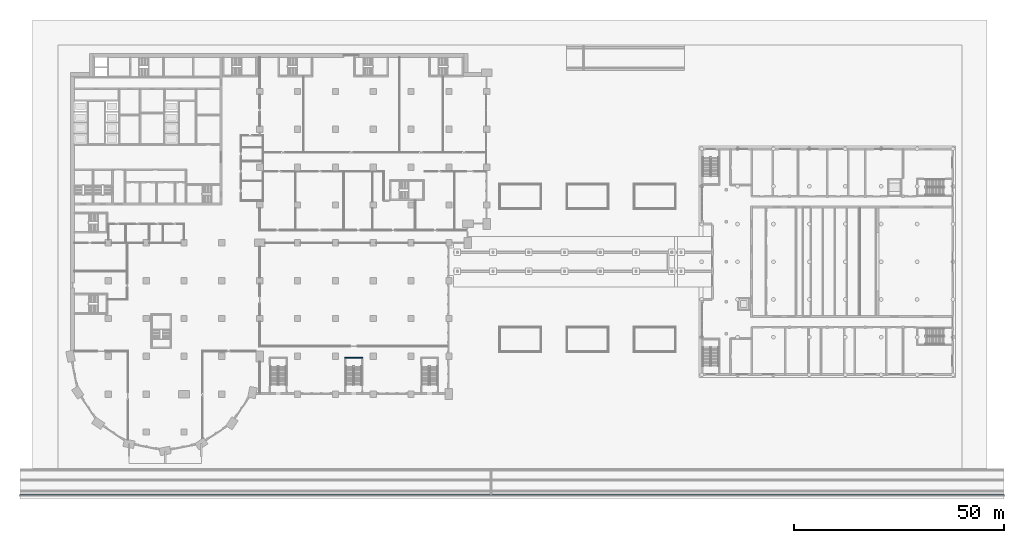
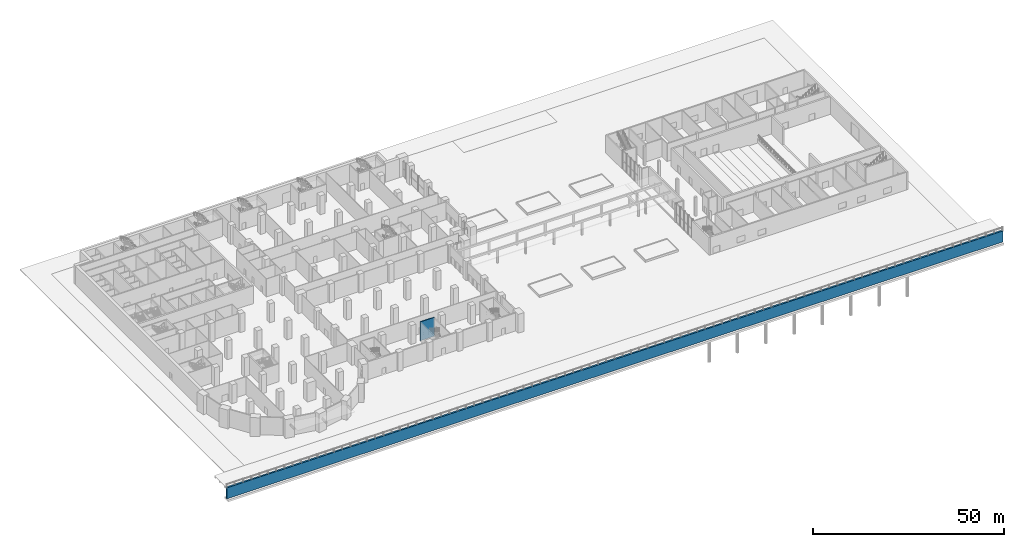
# One storey, part 16 of 47: 2 walls.
"""IFC4 building model written with IfcOpenShell, lengths in metres."""

from ifc_helpers import new_model, si_unit, direction, frame, frame_2d, origin, place, context, subcontext, project, spatial, rectangle, extrude, material, layer, layer_set, type_object, element, save


model = new_model("IFC4")

# Units and contexts
model_context = context("Model", 3, precision=1e-05, world=origin(), true_north=direction((0.0, 1.0)))
body_context = subcontext(model_context, "Body", "Model", "MODEL_VIEW")
ifc_project = project(units=[si_unit("LENGTHUNIT", "METRE"), si_unit("AREAUNIT", "SQUARE_METRE"), si_unit("VOLUMEUNIT", "CUBIC_METRE"), si_unit("PLANEANGLEUNIT", "RADIAN"), si_unit("MASSUNIT", "GRAM", prefix="KILO")], contexts=[model_context])

# Site, building, storey
site_placement = place(None, origin())
site = spatial("IfcSite", under=ifc_project, at=site_placement, CompositionType="ELEMENT")
building_placement = place(site_placement, origin())
building = spatial("IfcBuilding", under=site, at=building_placement, Name="Hunhe Ridgeline Campus", CompositionType="ELEMENT")
storey_placement = place(building_placement, origin())
storey = spatial("IfcBuildingStorey", under=building, at=storey_placement, Name="L00", CompositionType="ELEMENT", Elevation=0.0)

# Walls
ifc_material = material(Name="Concrete C40", Category="concrete")
ifc_layer_1 = layer(ifc_material, 0.5)
ifc_layer_set_1 = layer_set([ifc_layer_1], Name="Quay retaining wall 500 C40")
wall_type_1 = type_object("IfcWallType", Name="Quay retaining wall 500 C40", PredefinedType="SOLIDWALL", material=ifc_layer_set_1)
wall_1_placement = place(storey_placement, frame((-12.0, -6.0, -3.5), z_axis=(0.0, 0.0, 1.0), x_axis=(1.0, 0.0, 0.0)))
element("IfcWall", 1, at=wall_1_placement, inside=storey, type_object=wall_type_1, Name="Quay wall", PredefinedType="SOLIDWALL", context=body_context, shape_type="SweptSolid", body=[
    extrude(rectangle(XDim=234.0, YDim=0.5, at=frame_2d((117.0, 0.0))), origin(), (0.0, 0.0, 1.0), 3.5),
])
ifc_layer_2 = layer(ifc_material, 0.25)
ifc_layer_set_2 = layer_set([ifc_layer_2], Name="Stair shaft wall 250 C40")
wall_type_2 = type_object("IfcWallType", Name="Stair shaft wall 250 C40", PredefinedType="SOLIDWALL", material=ifc_layer_set_2)
wall_2_placement = place(storey_placement, frame((65.25, 26.625, 0.0), z_axis=(0.0, 0.0, 1.0), x_axis=(1.0, 0.0, 0.0)))
element("IfcWall", 2, at=wall_2_placement, inside=storey, type_object=wall_type_2, Name="L00 PS2 shaft wall", PredefinedType="SOLIDWALL", context=body_context, shape_type="SweptSolid", body=[
    extrude(rectangle(XDim=4.25, YDim=0.25, at=frame_2d((2.125, 0.0))), origin(), (0.0, 0.0, 1.0), 6.0),
])

save(model, "model.ifc")
